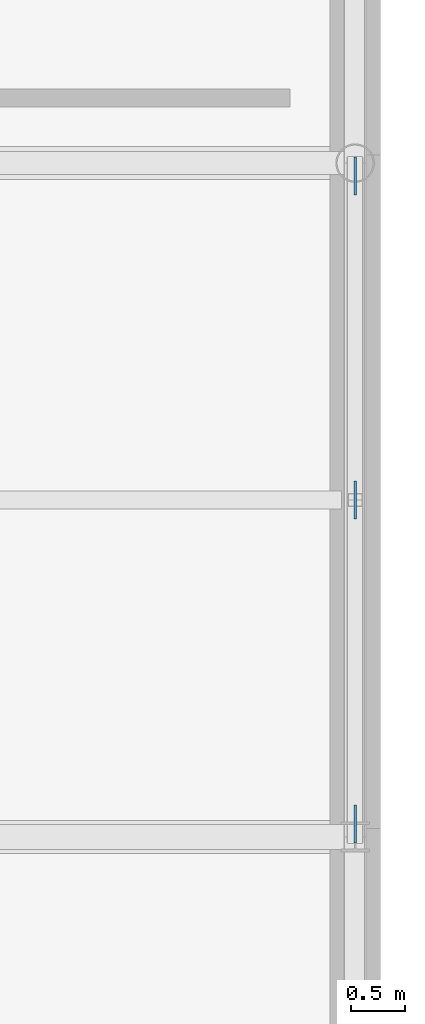
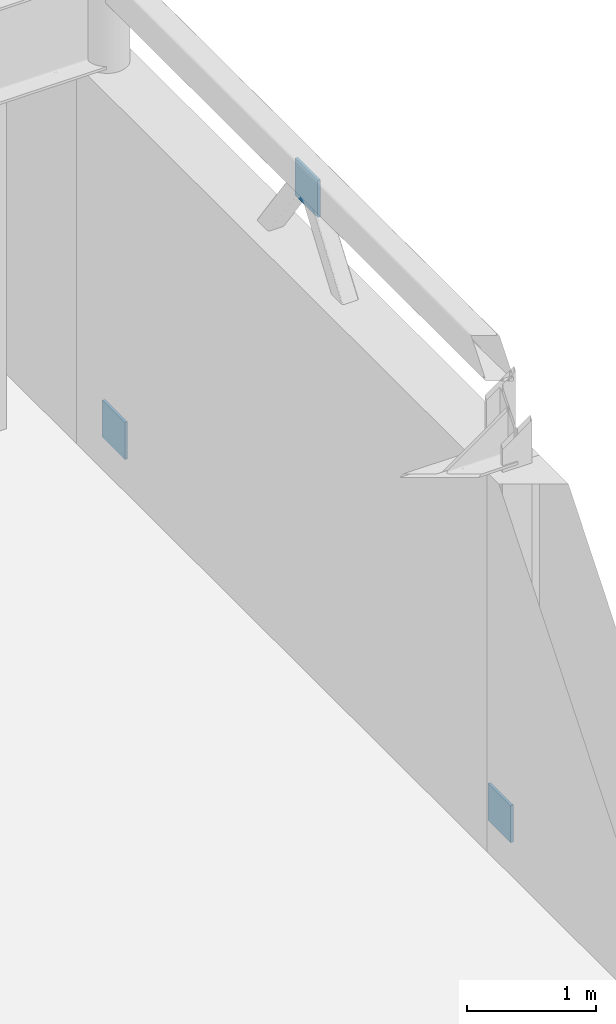
# One storey, part 71 of 84: 3 discrete accessories.
"""IFC4 building model written with IfcOpenShell, lengths in metres."""

from ifc_helpers import new_model, si_unit, direction, frame, origin, origin_2d, place, context, subcontext, project, spatial, rectangle, extrude, material, type_object, element, save


model = new_model("IFC4")

# Units and contexts
model_context = context("Model", 3, precision=1e-05, world=origin(), true_north=direction((0.0, 1.0)))
body_context = subcontext(model_context, "Body", "Model", "MODEL_VIEW")
ifc_project = project(units=[si_unit("LENGTHUNIT", "METRE"), si_unit("AREAUNIT", "SQUARE_METRE"), si_unit("VOLUMEUNIT", "CUBIC_METRE"), si_unit("PLANEANGLEUNIT", "RADIAN"), si_unit("MASSUNIT", "GRAM", prefix="KILO")], contexts=[model_context])

# Site, building, storey
site_placement = place(None, origin())
site = spatial("IfcSite", under=ifc_project, at=site_placement, CompositionType="ELEMENT")
building_placement = place(site_placement, origin())
building = spatial("IfcBuilding", under=site, at=building_placement, Name="Mirzam Square Science Centre", CompositionType="ELEMENT")
storey_placement = place(building_placement, frame((0.0, 0.0, 10.800048828125)))
storey = spatial("IfcBuildingStorey", under=building, at=storey_placement, Name="L02", CompositionType="ELEMENT", Elevation=10.800048828125)

# Discrete accessories
ifc_material = material(Name="Steel S355", Category="steel")
discrete_accessory_type = type_object("IfcDiscreteAccessoryType", Name="BK-BRACE-GUSSET", PredefinedType="BRACKET", material=ifc_material)
for number, where, z_axis, x_axis, name in (
    (1, (162.0, 12.52001953125, -0.005126953125), (0.0, 0.0, 1.0), (0.0, 1.0, 0.0), "L02 brace gusset plate 7A"),
    (2, (162.0, 18.47998046875, -0.005126953125), (0.0, 0.0, 1.0), (0.0, 1.0, 0.0), "L02 brace gusset plate 7B"),
    (3, (162.0, 15.5, 4.0849609375), (0.0, 0.0, 1.0), (0.0, 1.0, 0.0), "L02 brace apex gusset plate 7"),
):
    element("IfcDiscreteAccessory", number, at=place(storey_placement, frame(where, z_axis=z_axis, x_axis=x_axis)), inside=storey, type_object=discrete_accessory_type, Name=name, PredefinedType="BRACKET", context=body_context, shape_type="SweptSolid", body=[
        extrude(rectangle(XDim=0.35009765625, YDim=0.02490234375, at=origin_2d()), origin(), (0.0, 0.0, 1.0), 0.35009765625),
    ])

save(model, "model.ifc")
